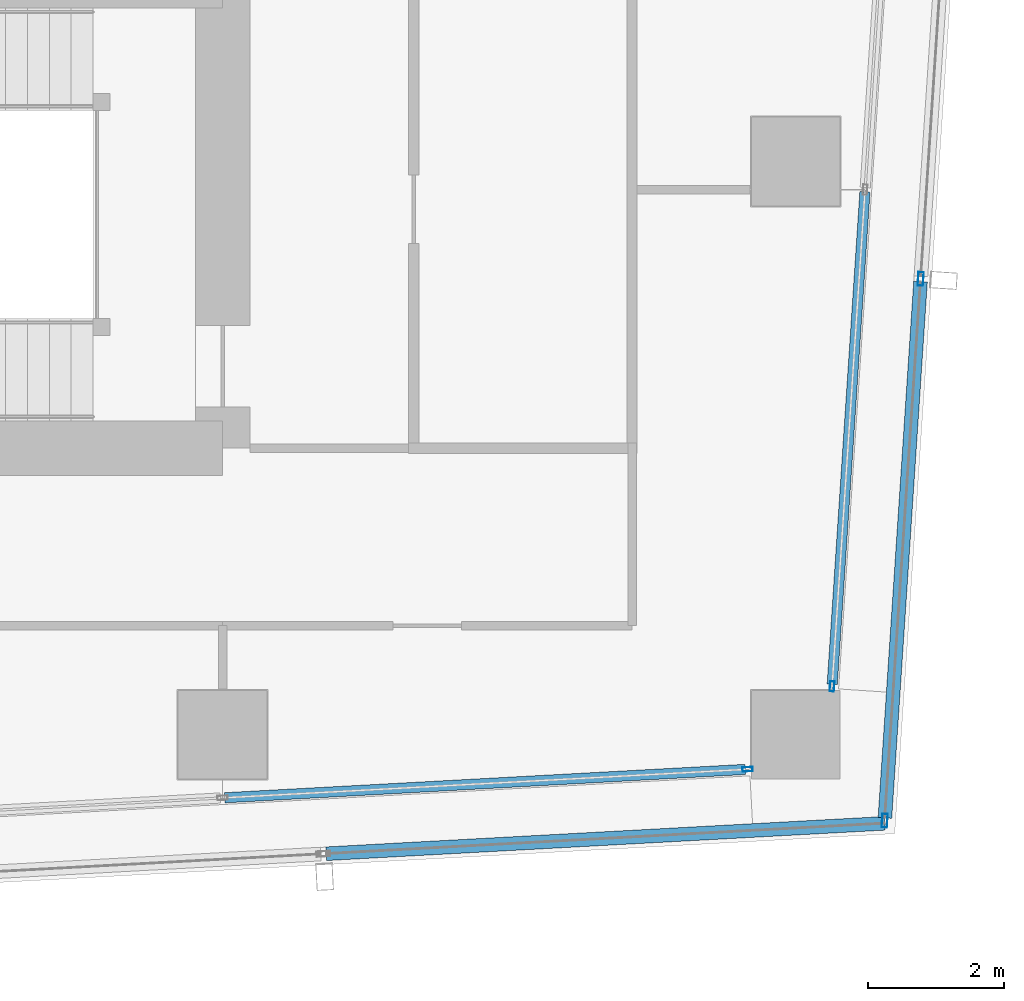
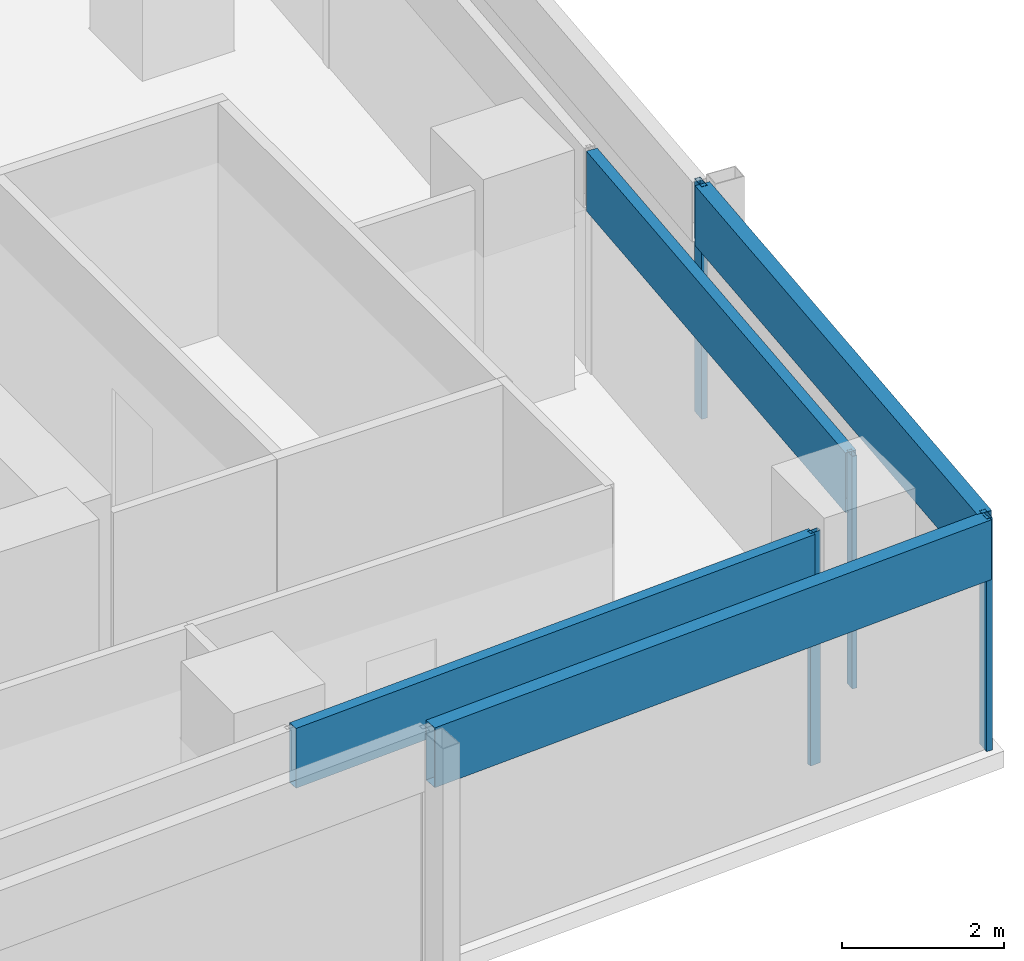
# One storey, part 11 of 29: 8 members, 4 elements without a shape of their own.
"""IFC4 building model written with IfcOpenShell, lengths in metres."""

from ifc_helpers import new_model, si_unit, direction, frame, origin, origin_2d, place, context, subcontext, project, spatial, hollow_rectangle, extrude, material, material_profile, profile_set, type_object, element, aggregate, save


model = new_model("IFC4")

# Units and contexts
model_context = context("Model", 3, precision=1e-05, world=origin(), true_north=direction((0.0, 1.0)))
body_context = subcontext(model_context, "Body", "Model", "MODEL_VIEW")
ifc_project = project(units=[si_unit("LENGTHUNIT", "METRE"), si_unit("AREAUNIT", "SQUARE_METRE"), si_unit("VOLUMEUNIT", "CUBIC_METRE"), si_unit("PLANEANGLEUNIT", "RADIAN"), si_unit("MASSUNIT", "GRAM", prefix="KILO")], contexts=[model_context])

# Site, building, storey
site_placement = place(None, origin())
site = spatial("IfcSite", under=ifc_project, at=site_placement, CompositionType="ELEMENT")
building_placement = place(site_placement, origin())
building = spatial("IfcBuilding", under=site, at=building_placement, Name="Rekha Terrace Tower", CompositionType="ELEMENT")
storey_placement = place(building_placement, frame((0.0, 0.0, 261.35009765625)))
storey = spatial("IfcBuildingStorey", under=building, at=storey_placement, Name="L66", CompositionType="ELEMENT", Elevation=261.35009765625)

# Curtain wall, member
ifc_material_1 = material(Name="Aluminium framing", Category="aluminium")
curtain_wall_type_1 = type_object("IfcCurtainWallType", Name="CW1 double skin inner glazing", PredefinedType="USERDEFINED", material=ifc_material_1)
curtain_wall_1_placement = place(storey_placement, origin())
curtain_wall_1 = element("IfcCurtainWall", 1, at=curtain_wall_1_placement, inside=storey, type_object=curtain_wall_type_1, Name="CW1 double skin inner glazing", ObjectType="DOUBLE SKIN INNER GLAZING", PredefinedType="USERDEFINED")
ifc_material_2 = material(Name="Aluminium mullion section", Category="aluminium")
ifc_material_profile_1 = material_profile(ifc_material_2, hollow_rectangle(XDim=0.06494140625, YDim=0.14990234375, WallThickness=0.00390625, at=origin_2d()), Name="AL RHS 65x150")
ifc_profile_set_1 = profile_set([ifc_material_profile_1], Name="Aluminium mullion section")
member_type_1 = type_object("IfcMemberType", Name="CW1 mullion RHS 65 x 150", PredefinedType="MULLION", material=ifc_profile_set_1)
member_1_placement = place(storey_placement, frame((58.092529296875, 16.2939453125, 0.0), z_axis=(0.0, 0.0, 1.0), x_axis=(-0.054388903036, 0.998519828159, 0.0)))
member_1 = element("IfcMember", 2, at=member_1_placement, type_object=member_type_1, Name="CW1 mullion 5", PredefinedType="MULLION", context=body_context, shape_type="SweptSolid", body=[
    extrude(hollow_rectangle(XDim=0.06494140625, YDim=0.14990234375, WallThickness=0.00390625, at=origin_2d()), origin(), (0.0, 0.0, 1.0), 3.5),
])

curtain_wall_2_placement = place(storey_placement, origin())
curtain_wall_2 = element("IfcCurtainWall", 3, at=curtain_wall_2_placement, inside=storey, type_object=curtain_wall_type_1, Name="CW1 double skin inner glazing", ObjectType="DOUBLE SKIN INNER GLAZING", PredefinedType="USERDEFINED")
member_2_placement = place(storey_placement, frame((59.3310546875, 17.5087890625, 0.0), z_axis=(0.0, 0.0, 1.0), x_axis=(-0.997801621769, 0.066271589649, 0.0)))
member_2 = element("IfcMember", 4, at=member_2_placement, type_object=member_type_1, Name="CW1 mullion 1", PredefinedType="MULLION", context=body_context, shape_type="SweptSolid", body=[
    extrude(hollow_rectangle(XDim=0.06494140625, YDim=0.14990234375, WallThickness=0.00390625, at=origin_2d()), origin(), (0.0, 0.0, 1.0), 3.5),
])

# Member
ifc_material_3 = material(Name="Insulated aluminium spandrel box", Category="aluminium")
ifc_material_profile_2 = material_profile(ifc_material_3, hollow_rectangle(XDim=0.14990234375, YDim=0.89990234375, WallThickness=0.0029296875, at=origin_2d()), Name="AL SPANDREL BOX 150x900")
ifc_profile_set_2 = profile_set([ifc_material_profile_2], Name="Insulated aluminium spandrel box")
member_type_2 = type_object("IfcMemberType", Name="CW1 spandrel transom 150 x 900", PredefinedType="USERDEFINED", material=ifc_profile_set_2)
member_3_placement = place(storey_placement, frame((50.431640625, 15.876708984375, 3.0498046875), z_axis=(0.998519749799, 0.054390341617, 0.0), x_axis=(-0.054390341617, 0.998519749799, 0.0)))
member_3 = element("IfcMember", 5, at=member_3_placement, type_object=member_type_2, Name="CW1 spandrel transom 4", ObjectType="TRANSOM", PredefinedType="USERDEFINED", context=body_context, shape_type="SweptSolid", body=[
    extrude(hollow_rectangle(XDim=0.14990234375, YDim=0.89990234375, WallThickness=0.0029296875, at=origin_2d()), origin(), (0.0, 0.0, 1.0), 7.6396484375),
])

aggregate(curtain_wall_1, [member_1, member_3])

member_4_placement = place(storey_placement, frame((59.333251953125, 17.541015625, 3.0498046875), z_axis=(0.066261233081, 0.997802309574, 0.0), x_axis=(-0.997802309574, 0.066261233081, 0.0)))
member_4 = element("IfcMember", 6, at=member_4_placement, type_object=member_type_2, Name="CW1 spandrel transom 1", ObjectType="TRANSOM", PredefinedType="USERDEFINED", context=body_context, shape_type="SweptSolid", body=[
    extrude(hollow_rectangle(XDim=0.14990234375, YDim=0.89990234375, WallThickness=0.0029296875, at=origin_2d()), origin(), (0.0, 0.0, 1.0), 7.22900390625),
])

aggregate(curtain_wall_2, [member_2, member_4])

# Curtain wall, members
curtain_wall_type_2 = type_object("IfcCurtainWallType", Name="CW2 double skin outer glazing", PredefinedType="USERDEFINED", material=ifc_material_1)
curtain_wall_3_placement = place(storey_placement, origin())
curtain_wall_3 = element("IfcCurtainWall", 7, at=curtain_wall_3_placement, inside=storey, type_object=curtain_wall_type_2, Name="CW2 double skin outer glazing", ObjectType="DOUBLE SKIN OUTER GLAZING", PredefinedType="USERDEFINED")
ifc_material_profile_3 = material_profile(ifc_material_2, hollow_rectangle(XDim=0.080078125, YDim=0.199951171875, WallThickness=0.00390625, at=origin_2d()), Name="AL RHS 80x200")
ifc_profile_set_3 = profile_set([ifc_material_profile_3], Name="Aluminium mullion section")
member_type_3 = type_object("IfcMemberType", Name="CW2 mullion RHS 80 x 200", PredefinedType="MULLION", material=ifc_profile_set_3)
member_5_placement = place(storey_placement, frame((60.102294921875, 15.5419921875, 0.0), z_axis=(0.0, 0.0, 1.0), x_axis=(-0.997801621769, 0.066271589649, 0.0)))
member_5 = element("IfcMember", 8, at=member_5_placement, type_object=member_type_3, Name="CW2 mullion 1", PredefinedType="MULLION", context=body_context, shape_type="SweptSolid", body=[
    extrude(hollow_rectangle(XDim=0.080078125, YDim=0.199951171875, WallThickness=0.00390625, at=origin_2d()), origin(), (0.0, 0.0, 1.0), 3.5),
])
member_6_placement = place(storey_placement, frame((60.629638671875, 23.479736328125, 0.0), z_axis=(0.0, 0.0, 1.0), x_axis=(-0.997801621769, 0.066271589649, 0.0)))
member_6 = element("IfcMember", 9, at=member_6_placement, type_object=member_type_3, Name="CW2 mullion 2", PredefinedType="MULLION", context=body_context, shape_type="SweptSolid", body=[
    extrude(hollow_rectangle(XDim=0.080078125, YDim=0.199951171875, WallThickness=0.00390625, at=origin_2d()), origin(), (0.0, 0.0, 1.0), 3.5),
])

# Curtain wall, member
curtain_wall_4_placement = place(storey_placement, origin())
curtain_wall_4 = element("IfcCurtainWall", 10, at=curtain_wall_4_placement, inside=storey, type_object=curtain_wall_type_2, Name="CW2 double skin outer glazing", ObjectType="DOUBLE SKIN OUTER GLAZING", PredefinedType="USERDEFINED")
ifc_material_profile_4 = material_profile(ifc_material_3, hollow_rectangle(XDim=0.199951171875, YDim=0.89990234375, WallThickness=0.0029296875, at=origin_2d()), Name="AL SPANDREL BOX 200x900")
ifc_profile_set_4 = profile_set([ifc_material_profile_4], Name="Insulated aluminium spandrel box")
member_type_4 = type_object("IfcMemberType", Name="CW2 spandrel transom 200 x 900", PredefinedType="USERDEFINED", material=ifc_profile_set_4)
member_7_placement = place(storey_placement, frame((51.91650390625, 15.056396484375, 3.0498046875), z_axis=(0.998521064062, 0.054366208476, 0.0), x_axis=(-0.054366208476, 0.998521064062, 0.0)))
member_7 = element("IfcMember", 11, at=member_7_placement, type_object=member_type_4, Name="CW2 spandrel transom 4", ObjectType="TRANSOM", PredefinedType="USERDEFINED", context=body_context, shape_type="SweptSolid", body=[
    extrude(hollow_rectangle(XDim=0.199951171875, YDim=0.89990234375, WallThickness=0.0029296875, at=origin_2d()), origin(), (0.0, 0.0, 1.0), 8.195556640625),
])
aggregate(curtain_wall_4, [member_7])

# Member
member_8_placement = place(storey_placement, frame((60.10498046875, 15.581787109375, 3.0498046875), z_axis=(0.066280327672, 0.997801041372, 0.0), x_axis=(-0.997801041372, 0.066280327672, 0.0)))
member_8 = element("IfcMember", 12, at=member_8_placement, type_object=member_type_4, Name="CW2 spandrel transom 1", ObjectType="TRANSOM", PredefinedType="USERDEFINED", context=body_context, shape_type="SweptSolid", body=[
    extrude(hollow_rectangle(XDim=0.199951171875, YDim=0.89990234375, WallThickness=0.0029296875, at=origin_2d()), origin(), (0.0, 0.0, 1.0), 7.875244140625),
])

aggregate(curtain_wall_3, [member_5, member_6, member_8])

save(model, "model.ifc")
